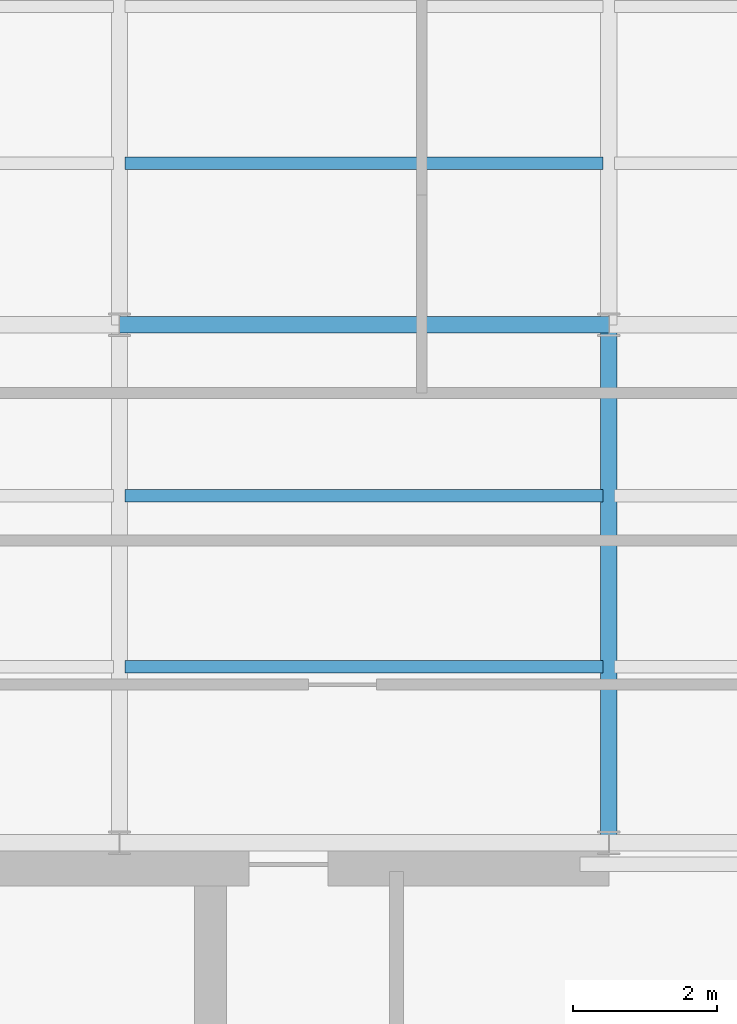
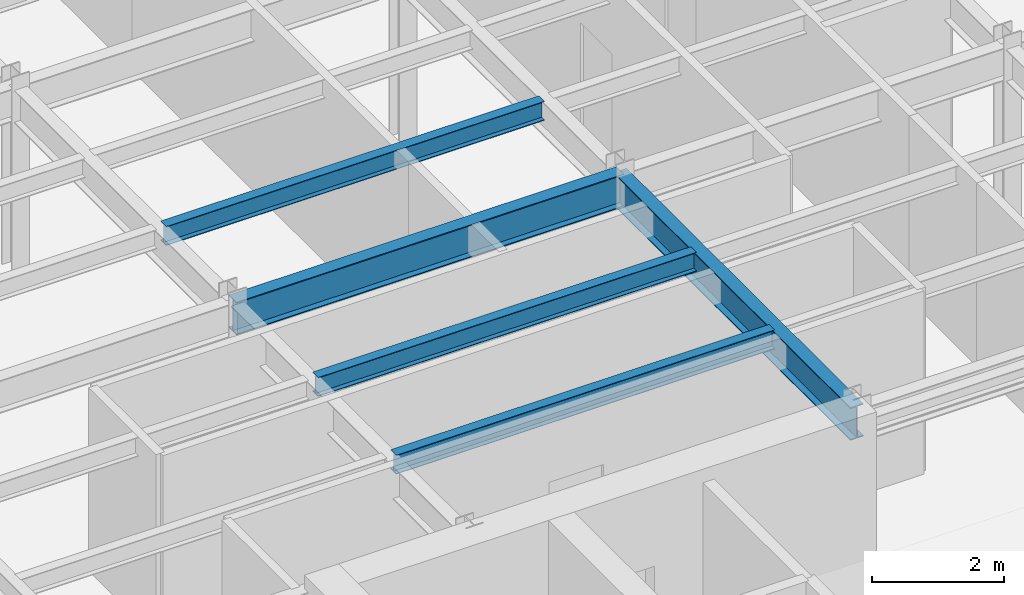
# One storey, part 6 of 22: 5 beams.
"""IFC4 building model written with IfcOpenShell, lengths in metres."""

import ifcopenshell
import ifcopenshell.guid

model = None  # the IFC model being written
_history = None  # IfcOwnerHistory: only IFC2X3 demands one
_inside = {}  # id of a spatial element -> (the spatial element, [elements in it])
_under = {}  # id of a project, library or spatial element -> (it, [spatial elements below it])
_declared = {}  # id of a project -> (the project, [libraries it declares])
_typed = {}  # id of a type object -> (the type object, [elements of that type])
_made_of = {}  # id of a material, layer set ... -> (it, [elements and type objects made of it])


def new_model(schema):
    """Start an empty IFC model of exactly this schema.

    Asked for "IFC4X3", IfcOpenShell would pick the latest addendum, in which some entities
    have other attributes; the version numbers below select the first issue.
    IFC2X3 requires an IfcOwnerHistory on every rooted entity: one is made here for all.
    """
    global model, _history
    if schema == "IFC4X3":
        model = ifcopenshell.file(schema_version=(4, 3, 0, 0))
    else:
        model = ifcopenshell.file(schema=schema)
    _inside.clear()
    _under.clear()
    _declared.clear()
    _typed.clear()
    _made_of.clear()
    _history = None
    if model.schema == "IFC2X3":
        org = make("IfcOrganization", Name="unknown")
        user = make(
            "IfcPersonAndOrganization",
            ThePerson=make("IfcPerson", FamilyName="unknown"),
            TheOrganization=org,
        )
        app = make(
            "IfcApplication",
            ApplicationDeveloper=org,
            Version="unknown",
            ApplicationFullName="unknown",
            ApplicationIdentifier="unknown",
        )
        _history = make(
            "IfcOwnerHistory",
            OwningUser=user,
            OwningApplication=app,
            ChangeAction="ADDED",
            CreationDate=0,
        )
    return model


def make(cls, **values):
    """One entity of the class cls with the attributes given. An attribute that is None is left unset."""
    return model.create_entity(
        cls, **{name: value for name, value in values.items() if value is not None}
    )


def rooted(cls, **values):
    """An entity with a GlobalId (a new one), such as an element, a storey or a relation."""
    return make(cls, GlobalId=ifcopenshell.guid.new(), OwnerHistory=_history, **values)


def si_unit(unit_type, name, prefix=None):
    """IfcSIUnit, for example si_unit("LENGTHUNIT", "METRE", prefix="MILLI")."""
    return make("IfcSIUnit", UnitType=unit_type, Prefix=prefix, Name=name)


def derived_unit(unit_type, elements):
    """IfcDerivedUnit: a product of units, each with its exponent."""
    return make(
        "IfcDerivedUnit",
        Elements=[
            make("IfcDerivedUnitElement", Unit=unit, Exponent=power)
            for unit, power in elements
        ],
        UnitType=unit_type,
    )


def assignment(units):
    """IfcUnitAssignment: the units of a project."""
    return None if units is None else make("IfcUnitAssignment", Units=units)


def point(xyz):
    """IfcCartesianPoint."""
    return None if xyz is None else make("IfcCartesianPoint", Coordinates=xyz)


def direction(xyz):
    """IfcDirection."""
    return None if xyz is None else make("IfcDirection", DirectionRatios=xyz)


def frame(location, z_axis=None, x_axis=None):
    """IfcAxis2Placement3D, a coordinate frame: its origin and axes. An axis left out is left unset."""
    return make(
        "IfcAxis2Placement3D",
        Location=point(location),
        Axis=direction(z_axis),
        RefDirection=direction(x_axis),
    )


def frame_2d(location, x_axis=None):
    """IfcAxis2Placement2D, a coordinate frame in the plane: its origin and x axis."""
    return make(
        "IfcAxis2Placement2D", Location=point(location), RefDirection=direction(x_axis)
    )


def origin():
    """The frame at (0, 0, 0) with its axes left unset."""
    return frame((0.0, 0.0, 0.0))


def origin_2d():
    """The frame at (0, 0) in the plane with its x axis left unset."""
    return frame_2d((0.0, 0.0))


def place(relative_to, where):
    """IfcLocalPlacement: puts the frame where relative to a parent placement (None: the world)."""
    return make(
        "IfcLocalPlacement", PlacementRelTo=relative_to, RelativePlacement=where
    )


def context(
    kind, dimensions, precision=None, world=None, true_north=None, identifier=None
):
    """IfcGeometricRepresentationContext, for example the 3D "Model" context."""
    return make(
        "IfcGeometricRepresentationContext",
        ContextIdentifier=identifier,
        ContextType=kind,
        CoordinateSpaceDimension=dimensions,
        Precision=precision,
        WorldCoordinateSystem=world,
        TrueNorth=true_north,
    )


def subcontext(parent, identifier, kind, view, scale=None):
    """IfcGeometricRepresentationSubContext, for example "Body" below "Model"."""
    return make(
        "IfcGeometricRepresentationSubContext",
        ContextIdentifier=identifier,
        ContextType=kind,
        ParentContext=parent,
        TargetScale=scale,
        TargetView=view,
    )


def project(units=None, contexts=None):
    """IfcProject with its units and contexts."""
    return rooted(
        "IfcProject",
        Name="project",
        RepresentationContexts=contexts,
        UnitsInContext=assignment(units),
    )


def spatial(cls, under=None, at=None, **own):
    """A site, building, storey or space (cls), placed at a placement, below another one or the project."""
    s = rooted(cls, ObjectPlacement=at, **own)
    if under is not None:
        _under.setdefault(under.id(), (under, []))[1].append(s)
    return s


def profile(cls, at=None, kind="AREA", **sizes):
    """A parametric profile (cls). Its sizes go by their IFC names, for example OverallWidth=200.0."""
    return make(cls, ProfileType=kind, Position=at, **sizes)


def i_section(**sizes):
    """IfcIShapeProfileDef."""
    return profile("IfcIShapeProfileDef", **sizes)


def extrude(swept, where, along, depth):
    """IfcExtrudedAreaSolid: the profile swept, set in the frame where, extruded along a direction by depth."""
    return make(
        "IfcExtrudedAreaSolid",
        SweptArea=swept,
        Position=where,
        ExtrudedDirection=direction(along),
        Depth=depth,
    )


def shape(context_of_items, identifier, shape_type, items):
    """IfcShapeRepresentation: the items that make up one representation, for example the "Body"."""
    return make(
        "IfcShapeRepresentation",
        ContextOfItems=context_of_items,
        RepresentationIdentifier=identifier,
        RepresentationType=shape_type,
        Items=items,
    )


def source(mapping_origin, context_of_items, identifier, shape_type, items):
    """IfcRepresentationMap: a shape defined once, which mapped items show again and again."""
    return make(
        "IfcRepresentationMap",
        MappingOrigin=mapping_origin,
        MappedRepresentation=shape(context_of_items, identifier, shape_type, items),
    )


def transform(
    local_origin,
    x_axis=None,
    y_axis=None,
    z_axis=None,
    scale=None,
    scale2=None,
    scale3=None,
    uniform=True,
):
    """IfcCartesianTransformationOperator3D, or its non-uniform kind. x_axis, y_axis, z_axis: its Axis1, 2, 3."""
    if uniform:
        return make(
            "IfcCartesianTransformationOperator3D",
            Axis1=direction(x_axis),
            Axis2=direction(y_axis),
            LocalOrigin=point(local_origin),
            Scale=scale,
            Axis3=direction(z_axis),
        )
    return make(
        "IfcCartesianTransformationOperator3DnonUniform",
        Axis1=direction(x_axis),
        Axis2=direction(y_axis),
        LocalOrigin=point(local_origin),
        Scale=scale,
        Axis3=direction(z_axis),
        Scale2=scale2,
        Scale3=scale3,
    )


def mapped(mapping_source, mapping_target):
    """IfcMappedItem: shows the shape of a source again, moved by a transform."""
    return make(
        "IfcMappedItem", MappingSource=mapping_source, MappingTarget=mapping_target
    )


def material(Name=None, Category=None):
    """IfcMaterial."""
    return make("IfcMaterial", Name=Name, Category=Category)


def material_profile(
    of_material, cross_section, Name=None, Category=None, Priority=None
):
    """IfcMaterialProfile: a cross section and its material."""
    return make(
        "IfcMaterialProfile",
        Name=Name,
        Material=of_material,
        Profile=cross_section,
        Priority=Priority,
        Category=Category,
    )


def profile_set(profiles, Name=None, composite=None):
    """IfcMaterialProfileSet."""
    return make(
        "IfcMaterialProfileSet",
        Name=Name,
        MaterialProfiles=profiles,
        CompositeProfile=composite,
    )


def made_of(thing, what):
    """Note that an element or type object is made of a material, layer set ...; save() writes the relation."""
    if what is not None:
        _made_of.setdefault(what.id(), (what, []))[1].append(thing)
    return thing


def type_object(cls, material=None, **own):
    """A type object (cls), such as IfcWallType, which elements share."""
    return made_of(rooted(cls, **own), material)


def element(
    cls,
    number,
    at=None,
    inside=None,
    cuts=None,
    type_object=None,
    material=None,
    context=None,
    identifier="Body",
    shape_type=None,
    held_by="IfcProductDefinitionShape",
    body=None,
    shapes=None,
    **own,
):
    """One element of the class cls, such as IfcWall. Its Tag is "e" and its number.

    at: its placement. inside: the storey or other place that contains it. cuts: it is an
    opening in that element (IfcRelVoidsElement). A single representation is given by context,
    identifier, shape_type and body (its items); several are given by shapes. held_by: the class
    of the entity that holds the representations. save() writes the other relations.
    """
    e = rooted(cls, Tag="e%d" % number, ObjectPlacement=at, **own)
    if body is not None:
        shapes = [shape(context, identifier, shape_type, body)]
    if shapes is not None:
        e.Representation = make(held_by, Representations=shapes)
    if inside is not None:
        _inside.setdefault(inside.id(), (inside, []))[1].append(e)
    if cuts is not None:
        rooted(
            "IfcRelVoidsElement", RelatingBuildingElement=cuts, RelatedOpeningElement=e
        )
    if type_object is not None:
        _typed.setdefault(type_object.id(), (type_object, []))[1].append(e)
    return made_of(e, material)


def aggregate(whole, parts):
    """IfcRelAggregates: a whole, such as a stair, and the parts it consists of."""
    return rooted("IfcRelAggregates", RelatingObject=whole, RelatedObjects=parts)


def save(model, path):
    """Write the relations noted so far, then the file.

    IfcRelAggregates (storeys below a building ...), IfcRelContainedInSpatialStructure (elements
    in a storey), IfcRelDefinesByType, IfcRelAssociatesMaterial and IfcRelDeclares: one each for
    every whole, place, type object, material and project.
    """
    for whole, parts in _under.values():
        aggregate(whole, parts)
    for where, things in _inside.values():
        rooted(
            "IfcRelContainedInSpatialStructure",
            RelatedElements=things,
            RelatingStructure=where,
        )
    for kind, things in _typed.values():
        rooted("IfcRelDefinesByType", RelatedObjects=things, RelatingType=kind)
    for what, things in _made_of.values():
        rooted("IfcRelAssociatesMaterial", RelatedObjects=things, RelatingMaterial=what)
    for by, libraries in _declared.values():
        rooted("IfcRelDeclares", RelatingContext=by, RelatedDefinitions=libraries)
    model.write(path)


model = new_model("IFC4")

# Units and contexts
model_context = context("Model", 3, precision=1e-05, world=origin(), true_north=direction((0.0, 1.0)))
body_context = subcontext(model_context, "Body", "Model", "MODEL_VIEW")
ifc_project = project(units=[si_unit("LENGTHUNIT", "METRE"), si_unit("AREAUNIT", "SQUARE_METRE"), si_unit("VOLUMEUNIT", "CUBIC_METRE"), si_unit("PLANEANGLEUNIT", "RADIAN"), si_unit("MASSUNIT", "GRAM", prefix="KILO"), derived_unit("THERMALTRANSMITTANCEUNIT", [(si_unit("POWERUNIT", "WATT"), 1), (si_unit("LENGTHUNIT", "METRE"), -2), (si_unit("THERMODYNAMICTEMPERATUREUNIT", "KELVIN"), -1)])], contexts=[model_context])

# Site, building, storey
site_placement = place(None, origin())
site = spatial("IfcSite", under=ifc_project, at=site_placement, CompositionType="ELEMENT")
building_placement = place(site_placement, origin())
building = spatial("IfcBuilding", under=site, at=building_placement, Name="Skarnbrae Concourse Arena and Tower", CompositionType="ELEMENT")
storey_placement = place(building_placement, frame((0.0, 0.0, 206.85009765625)))
storey = spatial("IfcBuildingStorey", under=building, at=storey_placement, Name="L53", CompositionType="ELEMENT", Elevation=206.85009765625)

# Beams
ifc_material = material(Name="Steel CSA G40.21 350W", Category="steel")
ifc_material_profile_1 = material_profile(ifc_material, i_section(OverallWidth=0.22802734375, OverallDepth=0.60791015625, WebThickness=0.01123046875, FlangeThickness=0.017333984375, at=origin_2d()), Name="W610X113")
ifc_profile_set_1 = profile_set([ifc_material_profile_1], Name="Steel CSA G40.21 350W")
beam_type_1 = type_object("IfcBeamType", Name="BM-GIRD-W610X113", PredefinedType="BEAM", material=ifc_profile_set_1)
shared_shape_1 = source(origin(), body_context, "Body", "SweptSolid", [
    extrude(i_section(OverallWidth=0.22802734375, OverallDepth=0.60791015625, WebThickness=0.01123046875, FlangeThickness=0.017333984375, at=origin_2d()), origin(), (0.0, 0.0, 1.0), 6.7998046875),
])
beam_1_placement = place(storey_placement, frame((7.60009765625, 21.199951171875, 3.095947265625), z_axis=(1.0, 0.0, 0.0), x_axis=(0.0, 1.0, 0.0)))
element("IfcBeam", 1, at=beam_1_placement, inside=storey, type_object=beam_type_1, Name="L53 Primary E-W girder Y21.2-2", PredefinedType="BEAM", context=body_context, shape_type="MappedRepresentation", body=[
    mapped(shared_shape_1, transform((0.0, 0.0, 0.0))),
])
shared_shape_2 = source(origin(), body_context, "Body", "SweptSolid", [
    extrude(i_section(OverallWidth=0.22802734375, OverallDepth=0.60791015625, WebThickness=0.01123046875, FlangeThickness=0.017333984375, at=origin_2d()), origin(), (0.0, 0.0, 1.0), 7.199951171875),
])
beam_2_placement = place(storey_placement, frame((14.39990234375, 14.0, 3.095947265625), z_axis=(0.0, 1.0, 0.0), x_axis=(-1.0, 0.0, 0.0)))
element("IfcBeam", 2, at=beam_2_placement, inside=storey, type_object=beam_type_1, Name="L53 Primary N-S girder X14.4-1", PredefinedType="BEAM", context=body_context, shape_type="MappedRepresentation", body=[
    mapped(shared_shape_2, transform((0.0, 0.0, 0.0))),
])
ifc_material_profile_2 = material_profile(ifc_material, i_section(OverallWidth=0.1708984375, OverallDepth=0.35498046875, WebThickness=0.007080078125, FlangeThickness=0.01171875, at=origin_2d()), Name="W360X51")
ifc_profile_set_2 = profile_set([ifc_material_profile_2], Name="Steel CSA G40.21 350W")
beam_type_2 = type_object("IfcBeamType", Name="BM-JOIST-W360X51", PredefinedType="JOIST", material=ifc_profile_set_2)
shared_shape_3 = source(origin(), body_context, "Body", "SweptSolid", [
    extrude(i_section(OverallWidth=0.1708984375, OverallDepth=0.35498046875, WebThickness=0.007080078125, FlangeThickness=0.01171875, at=origin_2d()), origin(), (0.0, 0.0, 1.0), 6.64013671875),
])
for number, where, z_axis, x_axis, name in (
    (3, (7.679931640625, 16.447998046875, 3.222412109375), (1.0, 0.0, 0.0), (0.0, 1.0, 0.0), "L53 Secondary floor joist 1.1.2"),
    (4, (7.679931640625, 18.823974609375, 3.222412109375), (1.0, 0.0, 0.0), (0.0, 1.0, 0.0), "L53 Secondary floor joist 1.2.2"),
    (5, (7.679931640625, 23.444091796875, 3.222412109375), (1.0, 0.0, 0.0), (0.0, 1.0, 0.0), "L53 Secondary floor joist 2.1.2"),
):
    element("IfcBeam", number, at=place(storey_placement, frame(where, z_axis=z_axis, x_axis=x_axis)), inside=storey, type_object=beam_type_2, Name=name, PredefinedType="JOIST", context=body_context, shape_type="MappedRepresentation", body=[
        mapped(shared_shape_3, transform((0.0, 0.0, 0.0))),
    ])

save(model, "model.ifc")
